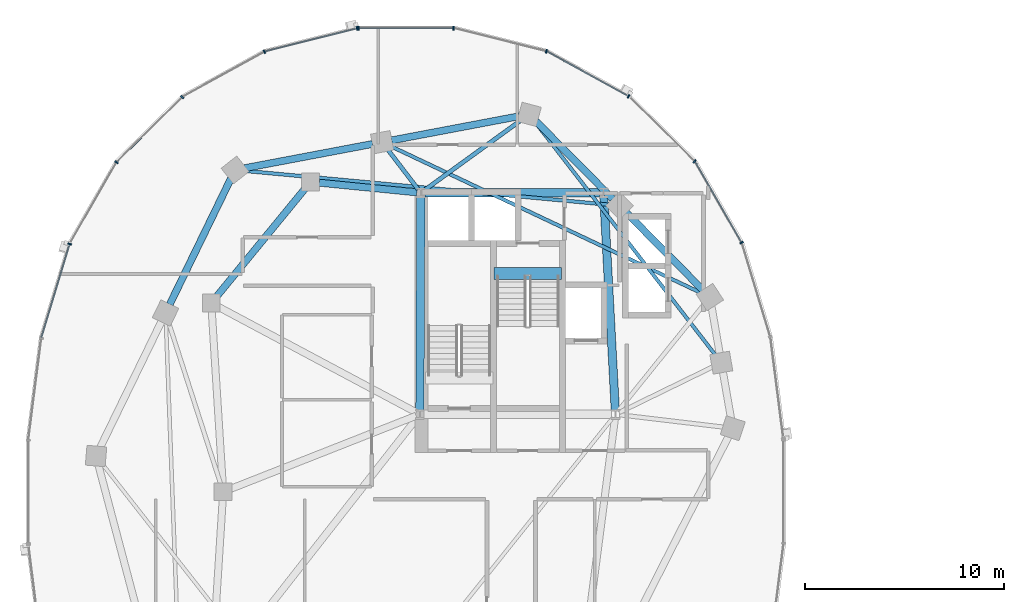
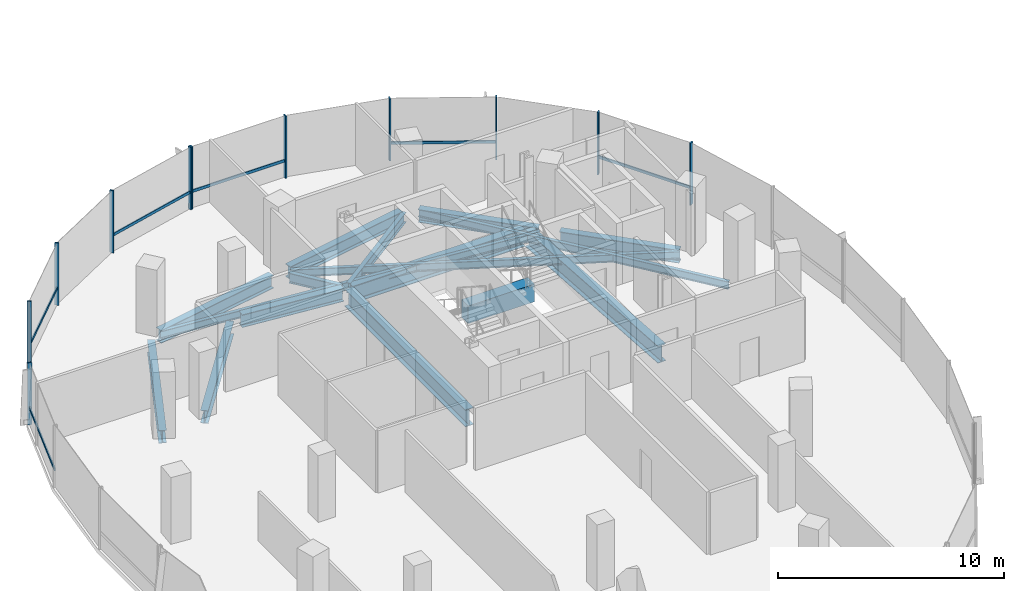
# One storey, part 5 of 22: 17 members, 16 beams, 2 elements without a shape of their own.
"""IFC4 building model written with IfcOpenShell, lengths in metres."""

from ifc_helpers import new_model, si_unit, direction, frame, origin, origin_2d, place, context, subcontext, project, spatial, rectangle, i_section, extrude, material, material_profile, profile_set, type_object, element, aggregate, save


model = new_model("IFC4")

# Units and contexts
model_context = context("Model", 3, precision=1e-05, world=origin(), true_north=direction((0.0, 1.0)))
body_context = subcontext(model_context, "Body", "Model", "MODEL_VIEW")
ifc_project = project(units=[si_unit("LENGTHUNIT", "METRE"), si_unit("AREAUNIT", "SQUARE_METRE"), si_unit("VOLUMEUNIT", "CUBIC_METRE"), si_unit("PLANEANGLEUNIT", "RADIAN"), si_unit("MASSUNIT", "GRAM", prefix="KILO"), si_unit("THERMODYNAMICTEMPERATUREUNIT", "KELVIN"), si_unit("POWERUNIT", "WATT")], contexts=[model_context])

# Site, building, storey
site_placement = place(None, origin())
site = spatial("IfcSite", under=ifc_project, at=site_placement, CompositionType="ELEMENT")
building_placement = place(site_placement, origin())
building = spatial("IfcBuilding", under=site, at=building_placement, Name="Cundina Bronze Exchange", CompositionType="ELEMENT")
storey_placement = place(building_placement, frame((0.0, 0.0, 144.0)))
storey = spatial("IfcBuildingStorey", under=building, at=storey_placement, Name="L37", CompositionType="ELEMENT", Elevation=144.0)

# Beams
ifc_material_1 = material(Name="Concrete C60/75", Category="concrete")
ifc_material_profile_1 = material_profile(ifc_material_1, rectangle(XDim=0.60009765625, YDim=0.949951171875, at=origin_2d()), Name="RC600X950", Category="concrete")
ifc_profile_set_1 = profile_set([ifc_material_profile_1], Name="Concrete C60/75")
beam_type_1 = type_object("IfcBeamType", Name="BM-COUP-RC950", PredefinedType="LINTEL", material=ifc_profile_set_1)
beam_1_placement = place(storey_placement, frame((-27.56005859375, 10.97998046875, -0.47509765625), z_axis=(1.0, 0.0, 0.0), x_axis=(0.0, 1.0, 0.0)))
element("IfcBeam", 1, at=beam_1_placement, inside=storey, type_object=beam_type_1, Name="L37 Stair W2 Landing Header Beam", PredefinedType="LINTEL", context=body_context, shape_type="SweptSolid", body=[
    extrude(rectangle(XDim=0.60009765625, YDim=0.949951171875, at=origin_2d()), origin(), (0.0, 0.0, 1.0), 3.400146484375),
])
ifc_material_2 = material(Name="Steel ASTM A992 Grade 50", Category="steel")
ifc_material_profile_2 = material_profile(ifc_material_2, i_section(OverallWidth=0.2119140625, OverallDepth=0.5439453125, WebThickness=0.01318359375, FlangeThickness=0.021240234375, FilletRadius=0.013916015625, at=origin_2d()), Name="W21X83", Category="steel")
ifc_profile_set_2 = profile_set([ifc_material_profile_2], Name="Steel ASTM A992 Grade 50")
beam_type_2 = type_object("IfcBeamType", Name="BM-FLR-W21A", PredefinedType="BEAM", material=ifc_profile_set_2)
beam_2_placement = place(storey_placement, frame((-31.084716796875, 15.169677734375, -0.511962890625), z_axis=(0.809693047063, 0.586853618492, 0.0), x_axis=(-0.586853618492, 0.809693047063, 0.0)))
element("IfcBeam", 2, at=beam_2_placement, inside=storey, type_object=beam_type_2, Name="L37 Leg W Radial Floor Beam 04", PredefinedType="BEAM", context=body_context, shape_type="SweptSolid", body=[
    extrude(i_section(OverallWidth=0.2119140625, OverallDepth=0.5439453125, WebThickness=0.01318359375, FlangeThickness=0.021240234375, FilletRadius=0.013916015625, at=origin_2d()), origin(), (0.0, 0.0, 1.0), 6.038818359375),
])
beam_3_placement = place(storey_placement, frame((-31.373779296875, 15.2119140625, -0.511962890625), z_axis=(-0.607450107571, 0.794357832977, 0.0), x_axis=(-0.794357832977, -0.607450107571, 0.0)))
element("IfcBeam", 3, at=beam_3_placement, inside=storey, type_object=beam_type_2, Name="L37 Leg W Radial Floor Beam 05", PredefinedType="BEAM", context=body_context, shape_type="SweptSolid", body=[
    extrude(i_section(OverallWidth=0.2119140625, OverallDepth=0.5439453125, WebThickness=0.01318359375, FlangeThickness=0.021240234375, FilletRadius=0.013916015625, at=origin_2d()), origin(), (0.0, 0.0, 1.0), 2.518310546875),
])
ifc_material_profile_3 = material_profile(ifc_material_2, i_section(OverallWidth=0.178955078125, OverallDepth=0.409912109375, WebThickness=0.0087890625, FlangeThickness=0.014404296875, FilletRadius=0.010986328125, at=origin_2d()), Name="W16X45", Category="steel")
ifc_profile_set_3 = profile_set([ifc_material_profile_3], Name="Steel ASTM A992 Grade 50")
beam_type_3 = type_object("IfcBeamType", Name="BM-JST-W16", PredefinedType="JOIST", material=ifc_profile_set_3)
beam_4_placement = place(storey_placement, frame((-16.423583984375, 6.885986328125, -0.445068359375), z_axis=(-0.61208354334, 0.790793105668, 0.0), x_axis=(-0.790793105668, -0.61208354334, 0.0)))
element("IfcBeam", 4, at=beam_4_placement, inside=storey, type_object=beam_type_3, Name="L37 Leg W Lobe Floor Joist 01-04", PredefinedType="JOIST", context=body_context, shape_type="SweptSolid", body=[
    extrude(i_section(OverallWidth=0.178955078125, OverallDepth=0.409912109375, WebThickness=0.0087890625, FlangeThickness=0.014404296875, FilletRadius=0.010986328125, at=origin_2d()), origin(), (0.0, 0.0, 1.0), 14.830810546875),
])
beam_5_placement = place(storey_placement, frame((-17.14111328125, 10.008544921875, -0.445068359375), z_axis=(-0.904074252188, 0.427375416385, 0.0), x_axis=(-0.427375416385, -0.904074252188, 0.0)))
element("IfcBeam", 5, at=beam_5_placement, inside=storey, type_object=beam_type_3, Name="L37 Leg W Lobe Floor Joist 02-05", PredefinedType="JOIST", context=body_context, shape_type="SweptSolid", body=[
    extrude(i_section(OverallWidth=0.178955078125, OverallDepth=0.409912109375, WebThickness=0.0087890625, FlangeThickness=0.014404296875, FilletRadius=0.010986328125, at=origin_2d()), origin(), (0.0, 0.0, 1.0), 17.274658203125),
])
beam_6_placement = place(storey_placement, frame((-21.73583984375, 14.4453125, -0.445068359375), z_axis=(-0.995701840093, 0.092616659595, 0.0), x_axis=(-0.092616659595, -0.995701840093, 0.0)))
element("IfcBeam", 6, at=beam_6_placement, inside=storey, type_object=beam_type_3, Name="L37 Leg W Lobe Floor Joist 03-06", PredefinedType="JOIST", context=body_context, shape_type="SweptSolid", body=[
    extrude(i_section(OverallWidth=0.178955078125, OverallDepth=0.409912109375, WebThickness=0.0087890625, FlangeThickness=0.014404296875, FilletRadius=0.010986328125, at=origin_2d()), origin(), (0.0, 0.0, 1.0), 18.45751953125),
])
ifc_material_profile_4 = material_profile(ifc_material_2, i_section(OverallWidth=0.35498046875, OverallDepth=0.695068359375, WebThickness=0.015380859375, FlangeThickness=0.02490234375, FilletRadius=0.01806640625, at=origin_2d()), Name="W27X146", Category="steel")
ifc_profile_set_4 = profile_set([ifc_material_profile_4], Name="Steel ASTM A992 Grade 50")
beam_type_4 = type_object("IfcBeamType", Name="BM-RING-W27", PredefinedType="USERDEFINED", material=ifc_profile_set_4)
beam_7_placement = place(storey_placement, frame((-31.452880859375, 15.070068359375, -0.58740234375), z_axis=(-0.995123020608, 0.098641643622, 0.0), x_axis=(-0.098641643622, -0.995123020608, 0.0)))
element("IfcBeam", 7, at=beam_7_placement, inside=storey, type_object=beam_type_4, Name="L37 W Inner Structural Ring Girder 01", ObjectType="GIRDER", PredefinedType="USERDEFINED", context=body_context, shape_type="SweptSolid", body=[
    extrude(i_section(OverallWidth=0.35498046875, OverallDepth=0.695068359375, WebThickness=0.015380859375, FlangeThickness=0.02490234375, FilletRadius=0.01806640625, at=origin_2d()), origin(), (0.0, 0.0, 1.0), 4.935302734375),
])
beam_8_placement = place(storey_placement, frame((-37.07763671875, 15.26123046875, -0.58740234375), z_axis=(-0.633912590175, -0.77340469873, 0.0), x_axis=(0.77340469873, -0.633912590175, 0.0)))
element("IfcBeam", 8, at=beam_8_placement, inside=storey, type_object=beam_type_4, Name="L37 W Inner Structural Ring Girder 02", ObjectType="GIRDER", PredefinedType="USERDEFINED", context=body_context, shape_type="SweptSolid", body=[
    extrude(i_section(OverallWidth=0.35498046875, OverallDepth=0.695068359375, WebThickness=0.015380859375, FlangeThickness=0.02490234375, FilletRadius=0.01806640625, at=origin_2d()), origin(), (0.0, 0.0, 1.0), 7.01123046875),
])
beam_9_placement = place(storey_placement, frame((-17.043212890625, 10.14697265625, -0.58740234375), z_axis=(-0.703230112979, 0.710962311378, 0.0), x_axis=(-0.710962311378, -0.703230112979, 0.0)))
element("IfcBeam", 9, at=beam_9_placement, inside=storey, type_object=beam_type_4, Name="L37 W Perimeter Ring Girder 02", ObjectType="GIRDER", PredefinedType="USERDEFINED", context=body_context, shape_type="SweptSolid", body=[
    extrude(i_section(OverallWidth=0.35498046875, OverallDepth=0.695068359375, WebThickness=0.015380859375, FlangeThickness=0.02490234375, FilletRadius=0.01806640625, at=origin_2d()), origin(), (0.0, 0.0, 1.0), 5.493896484375),
])
beam_10_placement = place(storey_placement, frame((-21.59326171875, 14.746826171875, -0.58740234375), z_axis=(-0.703207895705, 0.710984286337, 0.0), x_axis=(-0.710984286337, -0.703207895705, 0.0)))
element("IfcBeam", 10, at=beam_10_placement, inside=storey, type_object=beam_type_4, Name="L37 W Perimeter Ring Girder 03", ObjectType="GIRDER", PredefinedType="USERDEFINED", context=body_context, shape_type="SweptSolid", body=[
    extrude(i_section(OverallWidth=0.35498046875, OverallDepth=0.695068359375, WebThickness=0.015380859375, FlangeThickness=0.02490234375, FilletRadius=0.01806640625, at=origin_2d()), origin(), (0.0, 0.0, 1.0), 5.494140625),
])
beam_11_placement = place(storey_placement, frame((-26.279541015625, 18.9091796875, -0.58740234375), z_axis=(-0.982571532667, -0.185884865421, 0.0), x_axis=(0.185884865421, -0.982571532667, 0.0)))
element("IfcBeam", 11, at=beam_11_placement, inside=storey, type_object=beam_type_4, Name="L37 W Perimeter Ring Girder 04", ObjectType="GIRDER", PredefinedType="USERDEFINED", context=body_context, shape_type="SweptSolid", body=[
    extrude(i_section(OverallWidth=0.35498046875, OverallDepth=0.695068359375, WebThickness=0.015380859375, FlangeThickness=0.02490234375, FilletRadius=0.01806640625, at=origin_2d()), origin(), (0.0, 0.0, 1.0), 6.55517578125),
])
beam_12_placement = place(storey_placement, frame((-33.679443359375, 17.50927734375, -0.58740234375), z_axis=(-0.982572819495, -0.185878063226, 0.0), x_axis=(0.185878063226, -0.982572819495, 0.0)))
element("IfcBeam", 12, at=beam_12_placement, inside=storey, type_object=beam_type_4, Name="L37 W Perimeter Ring Girder 05", ObjectType="GIRDER", PredefinedType="USERDEFINED", context=body_context, shape_type="SweptSolid", body=[
    extrude(i_section(OverallWidth=0.35498046875, OverallDepth=0.695068359375, WebThickness=0.015380859375, FlangeThickness=0.02490234375, FilletRadius=0.01806640625, at=origin_2d()), origin(), (0.0, 0.0, 1.0), 6.555419921875),
])
beam_13_placement = place(storey_placement, frame((-40.8134765625, 15.760986328125, -0.58740234375), z_axis=(-0.437196998825, -0.89936576776, 0.0), x_axis=(0.89936576776, -0.437196998825, 0.0)))
element("IfcBeam", 13, at=beam_13_placement, inside=storey, type_object=beam_type_4, Name="L37 W Perimeter Ring Girder 06", ObjectType="GIRDER", PredefinedType="USERDEFINED", context=body_context, shape_type="SweptSolid", body=[
    extrude(i_section(OverallWidth=0.35498046875, OverallDepth=0.695068359375, WebThickness=0.015380859375, FlangeThickness=0.02490234375, FilletRadius=0.01806640625, at=origin_2d()), origin(), (0.0, 0.0, 1.0), 7.029541015625),
])
ifc_material_profile_5 = material_profile(ifc_material_2, i_section(OverallWidth=0.41796875, OverallDepth=0.927001953125, WebThickness=0.019287109375, FlangeThickness=0.031982421875, FilletRadius=0.02392578125, at=origin_2d()), Name="W36X231", Category="steel")
ifc_profile_set_5 = profile_set([ifc_material_profile_5], Name="Steel ASTM A992 Grade 50")
beam_type_5 = type_object("IfcBeamType", Name="BM-WRN-W36B", PredefinedType="USERDEFINED", material=ifc_profile_set_5)
beam_14_placement = place(storey_placement, frame((-21.4609375, 4.103759765625, -0.70361328125), z_axis=(-0.053739193498, 0.998555005537, 0.0), x_axis=(-0.998555005537, -0.053739193498, 0.0)))
element("IfcBeam", 14, at=beam_14_placement, inside=storey, type_object=beam_type_5, Name="L37 W Core Perimeter Tie Girder 2", ObjectType="GIRDER", PredefinedType="USERDEFINED", context=body_context, shape_type="SweptSolid", body=[
    extrude(i_section(OverallWidth=0.41796875, OverallDepth=0.927001953125, WebThickness=0.019287109375, FlangeThickness=0.031982421875, FilletRadius=0.02392578125, at=origin_2d()), origin(), (0.0, 0.0, 1.0), 10.758056640625),
])
beam_15_placement = place(storey_placement, frame((-22.25390625, 15.050048828125, -0.70361328125), z_axis=(-1.0, 0.0, 0.0), x_axis=(0.0, -1.0, 0.0)))
element("IfcBeam", 15, at=beam_15_placement, inside=storey, type_object=beam_type_5, Name="L37 W Core Perimeter Tie Girder 3", ObjectType="GIRDER", PredefinedType="USERDEFINED", context=body_context, shape_type="SweptSolid", body=[
    extrude(i_section(OverallWidth=0.41796875, OverallDepth=0.927001953125, WebThickness=0.019287109375, FlangeThickness=0.031982421875, FilletRadius=0.02392578125, at=origin_2d()), origin(), (0.0, 0.0, 1.0), 8.7919921875),
])
beam_16_placement = place(storey_placement, frame((-31.2509765625, 14.845947265625, -0.70361328125), z_axis=(-0.004477329608, -0.99998997671, 0.0), x_axis=(0.99998997671, -0.004477329608, 0.0)))
element("IfcBeam", 16, at=beam_16_placement, inside=storey, type_object=beam_type_5, Name="L37 W Core Perimeter Tie Girder 4", ObjectType="GIRDER", PredefinedType="USERDEFINED", context=body_context, shape_type="SweptSolid", body=[
    extrude(i_section(OverallWidth=0.41796875, OverallDepth=0.927001953125, WebThickness=0.019287109375, FlangeThickness=0.031982421875, FilletRadius=0.02392578125, at=origin_2d()), origin(), (0.0, 0.0, 1.0), 10.741943359375),
])

# Curtain wall, members
ifc_material_3 = material(Name="Anodised Bronze Aluminium 6063-T6", Category="aluminium")
curtain_wall_type = type_object("IfcCurtainWallType", Name="CWS-WST-PIN", PredefinedType="NOTDEFINED", material=ifc_material_3)
curtain_wall_1_placement = place(storey_placement, origin())
curtain_wall_1 = element("IfcCurtainWall", 17, at=curtain_wall_1_placement, inside=storey, type_object=curtain_wall_type, Name="L37 CW-04 Curtain Wall Run CWR-L37-W1", PredefinedType="NOTDEFINED")
ifc_material_profile_6 = material_profile(ifc_material_3, rectangle(XDim=0.070068359375, YDim=0.18994140625, at=origin_2d()), Name="AL70X190", Category="aluminium")
ifc_profile_set_6 = profile_set([ifc_material_profile_6], Name="Anodised Bronze Aluminium 6063-T6")
member_type_1 = type_object("IfcMemberType", Name="CWM-MUL-190", PredefinedType="MULLION", material=ifc_profile_set_6)
member_1_placement = place(storey_placement, frame((-15.10205078125, 12.541259765625, 0.0), z_axis=(0.0, 0.0, 1.0), x_axis=(-0.498487739754, 0.866896748936, 0.0)))
member_1 = element("IfcMember", 18, at=member_1_placement, type_object=member_type_1, Name="CW-04 Mullion 3", PredefinedType="MULLION", context=body_context, shape_type="SweptSolid", body=[
    extrude(rectangle(XDim=0.070068359375, YDim=0.18994140625, at=origin_2d()), origin(), (0.0, 0.0, 1.0), 3.360107421875),
])
member_2_placement = place(storey_placement, frame((-17.469482421875, 16.640380859375, 0.0), z_axis=(0.0, 0.0, 1.0), x_axis=(-0.712026045991, 0.702153052995, 0.0)))
member_2 = element("IfcMember", 19, at=member_2_placement, type_object=member_type_1, Name="CW-04 Mullion 4", PredefinedType="MULLION", context=body_context, shape_type="SweptSolid", body=[
    extrude(rectangle(XDim=0.070068359375, YDim=0.18994140625, at=origin_2d()), origin(), (0.0, 0.0, 1.0), 3.360107421875),
])
member_3_placement = place(storey_placement, frame((-20.79345703125, 19.906005859375, 0.0), z_axis=(0.0, 0.0, 1.0), x_axis=(-0.875885937035, 0.482518212408, 0.0)))
member_3 = element("IfcMember", 20, at=member_3_placement, type_object=member_type_1, Name="CW-04 Mullion 5", PredefinedType="MULLION", context=body_context, shape_type="SweptSolid", body=[
    extrude(rectangle(XDim=0.070068359375, YDim=0.18994140625, at=origin_2d()), origin(), (0.0, 0.0, 1.0), 3.360107421875),
])
member_4_placement = place(storey_placement, frame((-24.932373046875, 22.17626953125, 0.0), z_axis=(0.0, 0.0, 1.0), x_axis=(-0.970084240161, 0.242768546132, 0.0)))
member_4 = element("IfcMember", 21, at=member_4_placement, type_object=member_type_1, Name="CW-04 Mullion 6", PredefinedType="MULLION", context=body_context, shape_type="SweptSolid", body=[
    extrude(rectangle(XDim=0.070068359375, YDim=0.18994140625, at=origin_2d()), origin(), (0.0, 0.0, 1.0), 3.360107421875),
])
member_5_placement = place(storey_placement, frame((-29.60595703125, 23.3369140625, 0.0), z_axis=(0.0, 0.0, 1.0), x_axis=(-1.0, 0.0, 0.0)))
member_5 = element("IfcMember", 22, at=member_5_placement, type_object=member_type_1, Name="CW-04 Mullion 7", PredefinedType="MULLION", context=body_context, shape_type="SweptSolid", body=[
    extrude(rectangle(XDim=0.070068359375, YDim=0.18994140625, at=origin_2d()), origin(), (0.0, 0.0, 1.0), 3.360107421875),
])
member_6_placement = place(storey_placement, frame((-34.39404296875, 23.3369140625, 0.0), z_axis=(0.0, 0.0, 1.0), x_axis=(-1.0, 0.0, 0.0)))
member_6 = element("IfcMember", 23, at=member_6_placement, type_object=member_type_1, Name="CW-04 End Mullion", PredefinedType="MULLION", context=body_context, shape_type="SweptSolid", body=[
    extrude(rectangle(XDim=0.070068359375, YDim=0.18994140625, at=origin_2d()), origin(), (0.0, 0.0, 1.0), 3.360107421875),
])

curtain_wall_2_placement = place(storey_placement, origin())
curtain_wall_2 = element("IfcCurtainWall", 24, at=curtain_wall_2_placement, inside=storey, type_object=curtain_wall_type, Name="L37 CW-04 Curtain Wall Run CWR-L37-W2", PredefinedType="NOTDEFINED")
member_7_placement = place(storey_placement, frame((-34.462646484375, 23.32861328125, 0.0), z_axis=(0.0, 0.0, 1.0), x_axis=(-0.970084240161, -0.242768546132, 0.0)))
member_7 = element("IfcMember", 25, at=member_7_placement, type_object=member_type_1, Name="CW-04 Mullion 1", PredefinedType="MULLION", context=body_context, shape_type="SweptSolid", body=[
    extrude(rectangle(XDim=0.070068359375, YDim=0.18994140625, at=origin_2d()), origin(), (0.0, 0.0, 1.0), 3.360107421875),
])
member_8_placement = place(storey_placement, frame((-39.13037109375, 22.151611328125, 0.0), z_axis=(0.0, 0.0, 1.0), x_axis=(-0.875885937035, -0.482518212408, 0.0)))
member_8 = element("IfcMember", 26, at=member_8_placement, type_object=member_type_1, Name="CW-04 Mullion 2", PredefinedType="MULLION", context=body_context, shape_type="SweptSolid", body=[
    extrude(rectangle(XDim=0.070068359375, YDim=0.18994140625, at=origin_2d()), origin(), (0.0, 0.0, 1.0), 3.360107421875),
])
member_9_placement = place(storey_placement, frame((-43.259033203125, 19.86669921875, 0.0), z_axis=(0.0, 0.0, 1.0), x_axis=(-0.712026045991, -0.702153052995, 0.0)))
member_9 = element("IfcMember", 27, at=member_9_placement, type_object=member_type_1, Name="CW-04 Mullion 3", PredefinedType="MULLION", context=body_context, shape_type="SweptSolid", body=[
    extrude(rectangle(XDim=0.070068359375, YDim=0.18994140625, at=origin_2d()), origin(), (0.0, 0.0, 1.0), 3.360107421875),
])
member_10_placement = place(storey_placement, frame((-46.57080078125, 16.588134765625, 0.0), z_axis=(0.0, 0.0, 1.0), x_axis=(-0.498487739754, -0.866896748936, 0.0)))
member_10 = element("IfcMember", 28, at=member_10_placement, type_object=member_type_1, Name="CW-04 Mullion 4", PredefinedType="MULLION", context=body_context, shape_type="SweptSolid", body=[
    extrude(rectangle(XDim=0.070068359375, YDim=0.18994140625, at=origin_2d()), origin(), (0.0, 0.0, 1.0), 3.360107421875),
])
member_11_placement = place(storey_placement, frame((-48.92626953125, 12.4755859375, 0.0), z_axis=(0.0, 0.0, 1.0), x_axis=(-0.290034140915, -0.957016299288, 0.0)))
member_11 = element("IfcMember", 29, at=member_11_placement, type_object=member_type_1, Name="CW-04 Mullion 5", PredefinedType="MULLION", context=body_context, shape_type="SweptSolid", body=[
    extrude(rectangle(XDim=0.070068359375, YDim=0.18994140625, at=origin_2d()), origin(), (0.0, 0.0, 1.0), 3.360107421875),
])

# Member
ifc_material_profile_7 = material_profile(ifc_material_3, rectangle(XDim=0.06494140625, YDim=0.14990234375, at=origin_2d()), Name="AL65X150", Category="aluminium")
ifc_profile_set_7 = profile_set([ifc_material_profile_7], Name="Anodised Bronze Aluminium 6063-T6")
member_type_2 = type_object("IfcMemberType", Name="CWM-TRN-150", PredefinedType="USERDEFINED", material=ifc_profile_set_7)
member_12_placement = place(storey_placement, frame((-15.121337890625, 12.574462890625, 0.919921875), z_axis=(-0.498479967047, 0.866901218394, 0.0), x_axis=(-0.866901218394, -0.498479967047, 0.0)))
member_12 = element("IfcMember", 30, at=member_12_placement, type_object=member_type_2, Name="CW-04 Spandrel Transom 3", ObjectType="TRANSOM", PredefinedType="USERDEFINED", context=body_context, shape_type="SweptSolid", body=[
    extrude(rectangle(XDim=0.06494140625, YDim=0.14990234375, at=origin_2d()), origin(), (0.0, 0.0, 1.0), 4.66845703125),
])

member_13_placement = place(storey_placement, frame((-20.8271484375, 19.924560546875, 0.919921875), z_axis=(-0.875878981549, 0.482530838062, 0.0), x_axis=(-0.482530838062, -0.875878981549, 0.0)))
member_13 = element("IfcMember", 31, at=member_13_placement, type_object=member_type_2, Name="CW-04 Spandrel Transom 5", ObjectType="TRANSOM", PredefinedType="USERDEFINED", context=body_context, shape_type="SweptSolid", body=[
    extrude(rectangle(XDim=0.06494140625, YDim=0.14990234375, at=origin_2d()), origin(), (0.0, 0.0, 1.0), 4.65380859375),
])

member_14_placement = place(storey_placement, frame((-29.64453125, 23.3369140625, 0.919921875), z_axis=(-1.0, 0.0, 0.0), x_axis=(0.0, -1.0, 0.0)))
member_14 = element("IfcMember", 32, at=member_14_placement, type_object=member_type_2, Name="CW-04 Spandrel Transom 7", ObjectType="TRANSOM", PredefinedType="USERDEFINED", context=body_context, shape_type="SweptSolid", body=[
    extrude(rectangle(XDim=0.06494140625, YDim=0.14990234375, at=origin_2d()), origin(), (0.0, 0.0, 1.0), 4.7109375),
])

aggregate(curtain_wall_1, [member_1, member_12, member_2, member_3, member_13, member_4, member_5, member_6, member_14])

member_15_placement = place(storey_placement, frame((-34.5, 23.319091796875, 0.919921875), z_axis=(-0.970100130035, -0.242705042606, 0.0), x_axis=(0.242705042606, -0.970100130035, 0.0)))
member_15 = element("IfcMember", 33, at=member_15_placement, type_object=member_type_2, Name="CW-04 Spandrel Transom 1", ObjectType="TRANSOM", PredefinedType="USERDEFINED", context=body_context, shape_type="SweptSolid", body=[
    extrude(rectangle(XDim=0.06494140625, YDim=0.14990234375, at=origin_2d()), origin(), (0.0, 0.0, 1.0), 4.746826171875),
])

member_16_placement = place(storey_placement, frame((-43.28662109375, 19.839599609375, 0.919921875), z_axis=(-0.712005023839, -0.702174370102, 0.0), x_axis=(0.702174370102, -0.712005023839, 0.0)))
member_16 = element("IfcMember", 34, at=member_16_placement, type_object=member_type_2, Name="CW-04 Spandrel Transom 3", ObjectType="TRANSOM", PredefinedType="USERDEFINED", context=body_context, shape_type="SweptSolid", body=[
    extrude(rectangle(XDim=0.06494140625, YDim=0.14990234375, at=origin_2d()), origin(), (0.0, 0.0, 1.0), 4.594482421875),
])

member_17_placement = place(storey_placement, frame((-48.937255859375, 12.43896484375, 0.919921875), z_axis=(-0.290051855969, -0.957010930371, 0.0), x_axis=(0.957010930371, -0.290051855969, 0.0)))
member_17 = element("IfcMember", 35, at=member_17_placement, type_object=member_type_2, Name="CW-04 Spandrel Transom 5", ObjectType="TRANSOM", PredefinedType="USERDEFINED", context=body_context, shape_type="SweptSolid", body=[
    extrude(rectangle(XDim=0.06494140625, YDim=0.14990234375, at=origin_2d()), origin(), (0.0, 0.0, 1.0), 4.876953125),
])

aggregate(curtain_wall_2, [member_7, member_15, member_8, member_9, member_16, member_10, member_11, member_17])

save(model, "model.ifc")
